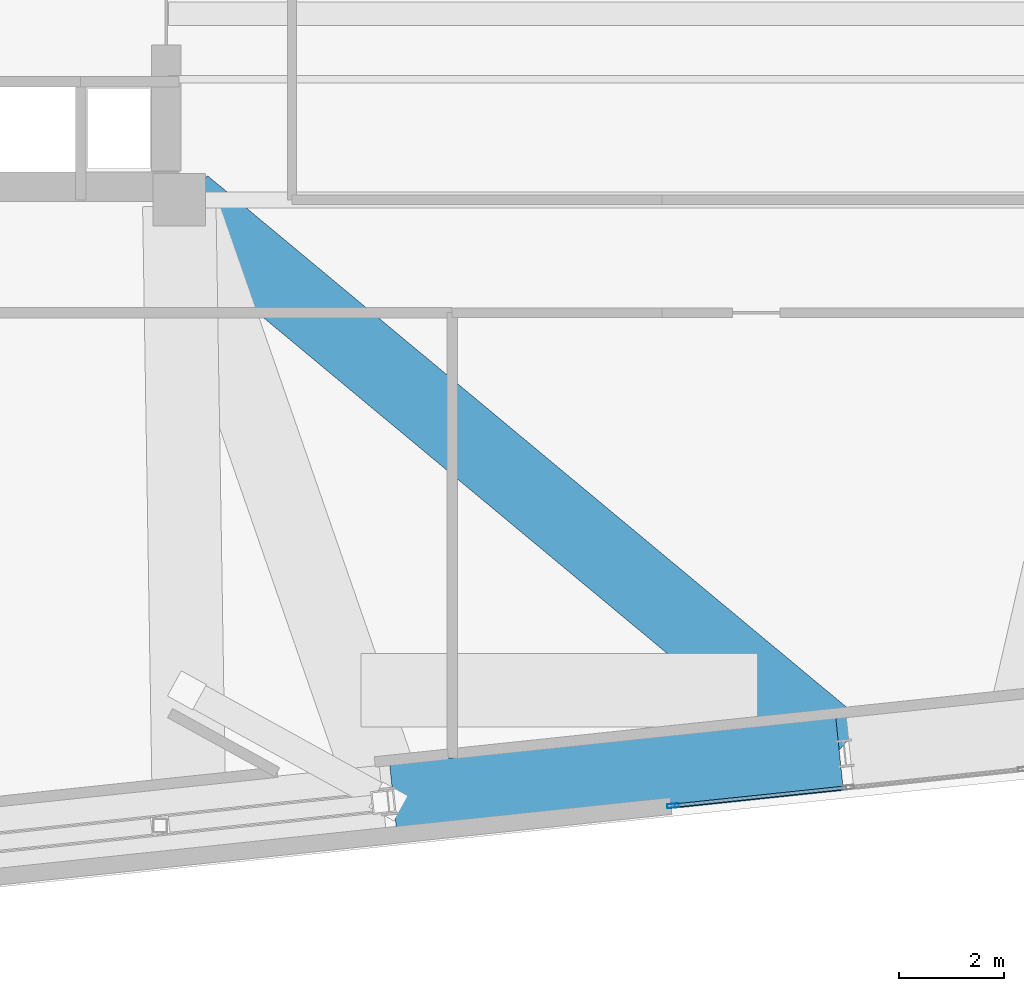
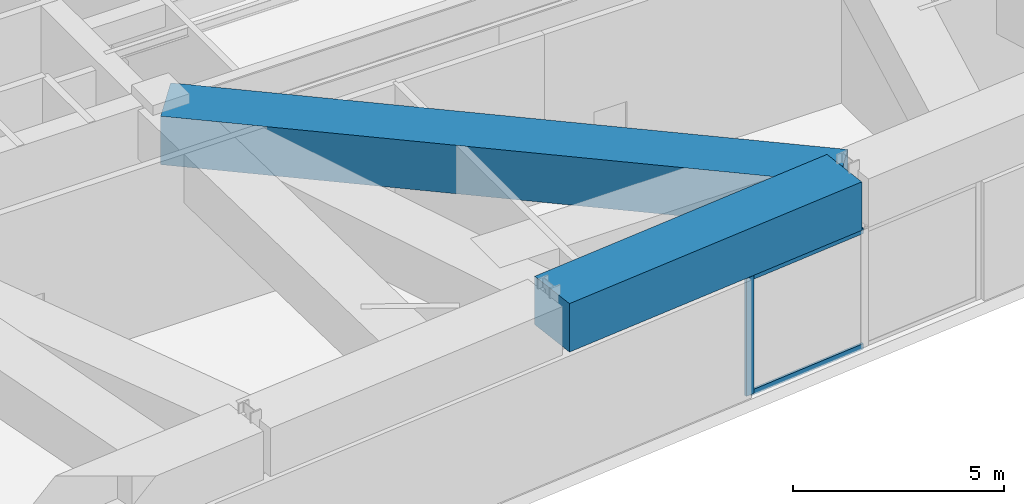
# One storey, part 5 of 23: 3 members, 2 beams, 1 element without a shape of its own.
"""IFC4 building model written with IfcOpenShell, lengths in metres."""

from ifc_helpers import new_model, si_unit, direction, frame, origin, origin_2d, place, context, subcontext, project, spatial, rectangle, hollow_rectangle, extrude, material, layer, layer_set, material_profile, profile_set, type_object, element, aggregate, save


model = new_model("IFC4")

# Units and contexts
model_context = context("Model", 3, precision=1e-05, world=origin(), true_north=direction((0.0, 1.0)))
body_context = subcontext(model_context, "Body", "Model", "MODEL_VIEW")
ifc_project = project(units=[si_unit("LENGTHUNIT", "METRE"), si_unit("AREAUNIT", "SQUARE_METRE"), si_unit("VOLUMEUNIT", "CUBIC_METRE"), si_unit("PLANEANGLEUNIT", "RADIAN"), si_unit("MASSUNIT", "GRAM", prefix="KILO")], contexts=[model_context])

# Site, building, storey
site_placement = place(None, origin())
site = spatial("IfcSite", under=ifc_project, at=site_placement, CompositionType="ELEMENT")
building_placement = place(site_placement, origin())
building = spatial("IfcBuilding", under=site, at=building_placement, Name="Qobustan Lattice House", CompositionType="ELEMENT")
storey_placement = place(building_placement, frame((0.0, 0.0, 125.89990234375)))
storey = spatial("IfcBuildingStorey", under=building, at=storey_placement, Name="L35", CompositionType="ELEMENT", Elevation=125.89990234375)

# Beams
ifc_material_1 = material(Name="Concrete C60/75", Category="concrete")
ifc_material_profile_1 = material_profile(ifc_material_1, rectangle(XDim=1.39990234375, YDim=1.39990234375, at=origin_2d()), Name="RC1400x1400")
ifc_profile_set_1 = profile_set([ifc_material_profile_1], Name="Concrete C60/75")
beam_type = type_object("IfcBeamType", Name="BM-TRG-RC1400", PredefinedType="USERDEFINED", material=ifc_profile_set_1)
beam_1_placement = place(storey_placement, frame((-5.11572265625, -17.05517578125, 4.1201171875), z_axis=(0.994523588185, 0.104512355942, 0.0), x_axis=(-0.104512355942, 0.994523588185, 0.0)))
element("IfcBeam", 1, at=beam_1_placement, inside=storey, type_object=beam_type, Name="L35 TT2 lower perimeter transfer girder S3-S4", ObjectType="GIRDER", PredefinedType="USERDEFINED", context=body_context, shape_type="SweptSolid", body=[
    extrude(rectangle(XDim=1.39990234375, YDim=1.39990234375, at=origin_2d()), origin(), (0.0, 0.0, 1.0), 8.5498046875),
])
beam_2_placement = place(storey_placement, frame((-9.107666015625, -5.6767578125, 4.1201171875), z_axis=(0.768843633408, -0.639436836104, 0.0), x_axis=(0.639436836104, 0.768843633408, 0.0)))
element("IfcBeam", 2, at=beam_2_placement, inside=storey, type_object=beam_type, Name="L35 TT2 radial transfer girder S4", ObjectType="GIRDER", PredefinedType="USERDEFINED", context=body_context, shape_type="SweptSolid", body=[
    extrude(rectangle(XDim=1.39990234375, YDim=1.39990234375, at=origin_2d()), origin(), (0.0, 0.0, 1.0), 16.2607421875),
])

# Curtain wall, members
ifc_material_2 = material(Name="Anodised aluminium and low-E glazing", Category="aluminium")
ifc_layer = layer(ifc_material_2, 0.219970703125)
ifc_layer_set = layer_set([ifc_layer], Name="Anodised aluminium and low-E glazing")
curtain_wall_type = type_object("IfcCurtainWallType", Name="CW-TRN-01", PredefinedType="USERDEFINED", material=ifc_layer_set)
curtain_wall_placement = place(storey_placement, origin())
curtain_wall = element("IfcCurtainWall", 3, at=curtain_wall_placement, inside=storey, type_object=curtain_wall_type, Name="L35 S transfer sky-lobby curtain wall", ObjectType="CURTAIN WALL", PredefinedType="USERDEFINED")
ifc_material_3 = material(Name="Anodised aluminium EN AW-6063 T6", Category="aluminium")
ifc_material_profile_2 = material_profile(ifc_material_3, hollow_rectangle(XDim=0.080078125, YDim=0.219970703125, WallThickness=0.0048828125, at=origin_2d()), Name="CWM-220x80")
ifc_profile_set_2 = profile_set([ifc_material_profile_2], Name="Anodised aluminium EN AW-6063 T6")
member_type_1 = type_object("IfcMemberType", Name="CWM-MAIN-220", PredefinedType="MULLION", material=ifc_profile_set_2)
member_1_placement = place(storey_placement, frame((0.213134765625, -17.14892578125, 0.0), z_axis=(0.0, 0.0, 1.0), x_axis=(0.104544694075, -0.994520189308, 0.0)))
member_1 = element("IfcMember", 4, at=member_1_placement, type_object=member_type_1, Name="CW-TR mullion 3", PredefinedType="MULLION", context=body_context, shape_type="SweptSolid", body=[
    extrude(hollow_rectangle(XDim=0.080078125, YDim=0.219970703125, WallThickness=0.0048828125, at=origin_2d()), origin(), (0.0, 0.0, 1.0), 3.405029296875),
])
ifc_material_4 = material(Name="Anodised aluminium EN AW-6063 T6", Category="aluminium")
ifc_material_profile_3 = material_profile(ifc_material_4, hollow_rectangle(XDim=0.06494140625, YDim=0.159912109375, WallThickness=0.00390625, at=origin_2d()), Name="CWT-160x65")
ifc_profile_set_3 = profile_set([ifc_material_profile_3], Name="Anodised aluminium EN AW-6063 T6")
member_type_2 = type_object("IfcMemberType", Name="CWT-HOR-160", PredefinedType="USERDEFINED", material=ifc_profile_set_3)
member_2_placement = place(storey_placement, frame((3.514892578125, -16.8017578125, 0.03271484375), z_axis=(-0.994524198614, -0.104506547029, 0.0), x_axis=(0.104506547029, -0.994524198614, 0.0)))
member_2 = element("IfcMember", 5, at=member_2_placement, type_object=member_type_2, Name="CW-TR transom 2.1", ObjectType="TRANSOM", PredefinedType="USERDEFINED", context=body_context, shape_type="SweptSolid", body=[
    extrude(hollow_rectangle(XDim=0.06494140625, YDim=0.159912109375, WallThickness=0.00390625, at=origin_2d()), origin(), (0.0, 0.0, 1.0), 3.280029296875),
])
member_3_placement = place(storey_placement, frame((3.514892578125, -16.8017578125, 3.37255859375), z_axis=(-0.994524198614, -0.104506547029, 0.0), x_axis=(0.104506547029, -0.994524198614, 0.0)))
member_3 = element("IfcMember", 6, at=member_3_placement, type_object=member_type_2, Name="CW-TR transom 2.2", ObjectType="TRANSOM", PredefinedType="USERDEFINED", context=body_context, shape_type="SweptSolid", body=[
    extrude(hollow_rectangle(XDim=0.06494140625, YDim=0.159912109375, WallThickness=0.00390625, at=origin_2d()), origin(), (0.0, 0.0, 1.0), 3.280029296875),
])
aggregate(curtain_wall, [member_1, member_2, member_3])

save(model, "model.ifc")
